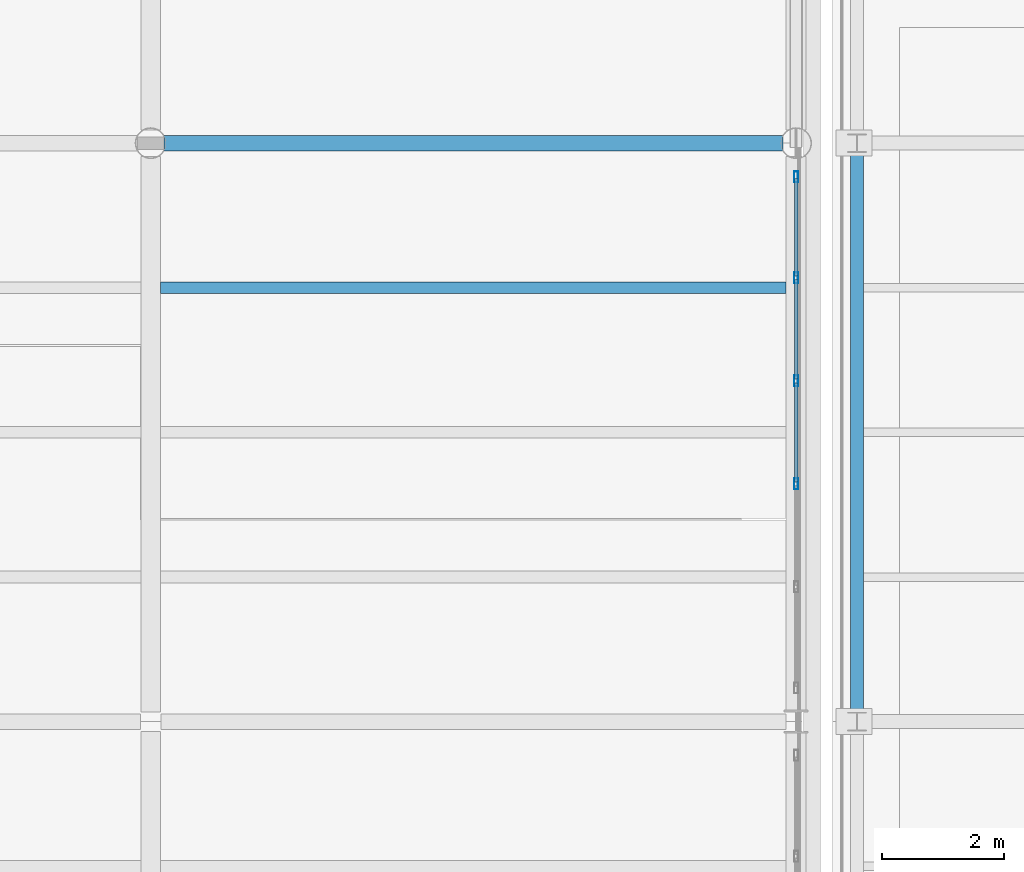
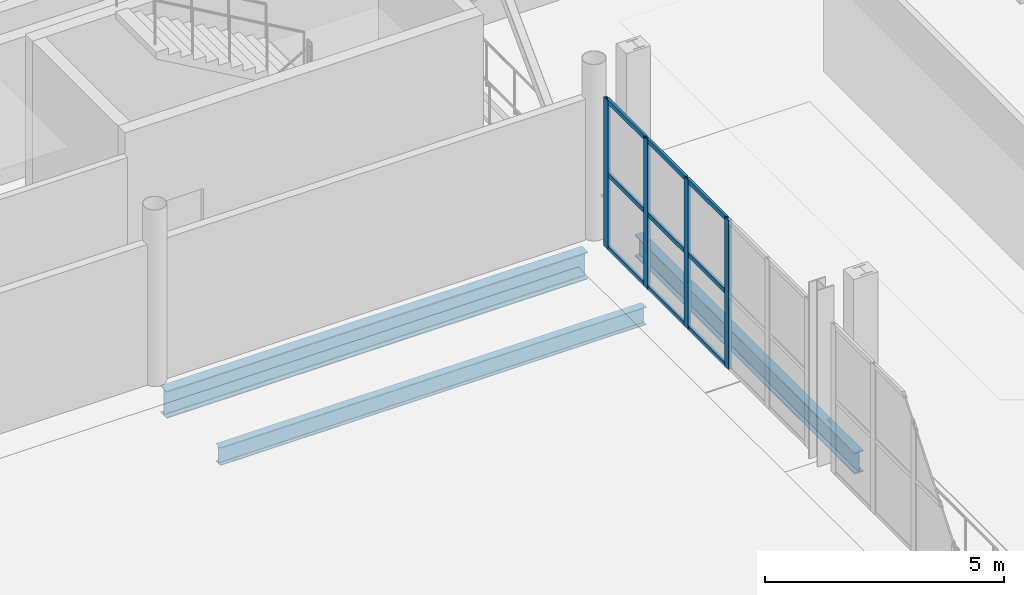
# One storey, part 92 of 156: 13 members, 3 beams, 1 element without a shape of its own.
"""IFC4 building model written with IfcOpenShell, lengths in metres."""

from ifc_helpers import new_model, si_unit, direction, frame, origin, origin_2d, place, context, subcontext, project, spatial, hollow_rectangle, i_section, extrude, material, material_profile, profile_set, type_object, element, aggregate, save


model = new_model("IFC4")

# Units and contexts
model_context = context("Model", 3, precision=1e-05, world=origin(), true_north=direction((0.0, 1.0)))
body_context = subcontext(model_context, "Body", "Model", "MODEL_VIEW")
ifc_project = project(units=[si_unit("LENGTHUNIT", "METRE"), si_unit("AREAUNIT", "SQUARE_METRE"), si_unit("VOLUMEUNIT", "CUBIC_METRE"), si_unit("PLANEANGLEUNIT", "RADIAN"), si_unit("MASSUNIT", "GRAM", prefix="KILO")], contexts=[model_context])

# Site, building, storey
site_placement = place(None, origin())
site = spatial("IfcSite", under=ifc_project, at=site_placement, CompositionType="ELEMENT")
building_placement = place(site_placement, origin())
building = spatial("IfcBuilding", under=site, at=building_placement, Name="Caurita Quay Ferry Terminal", CompositionType="ELEMENT")
storey_placement = place(building_placement, frame((0.0, 0.0, 5.39990234375)))
storey = spatial("IfcBuildingStorey", under=building, at=storey_placement, Name="L01", CompositionType="ELEMENT", Elevation=5.39990234375)

# Beams
ifc_material_1 = material(Name="Structural steel ASTM A992 Gr. 50", Category="steel")
ifc_material_profile_1 = material_profile(ifc_material_1, i_section(OverallWidth=0.210693359375, OverallDepth=0.53857421875, WebThickness=0.01171875, FlangeThickness=0.018798828125, FilletRadius=0.013916015625, at=origin_2d()), Name="W21X73")
ifc_profile_set_1 = profile_set([ifc_material_profile_1], Name="Structural steel ASTM A992 Gr. 50")
beam_type_1 = type_object("IfcBeamType", Name="BM-GR-W21A", PredefinedType="BEAM", material=ifc_profile_set_1)
beam_1_placement = place(storey_placement, frame((132.800048828125, 53.3544921875, -0.504150390625), z_axis=(0.0, 1.0, 0.0), x_axis=(-1.0, 0.0, 0.0)))
element("IfcBeam", 1, at=beam_1_placement, inside=storey, type_object=beam_type_1, Name="L01 Beam BM-V3H-L01-Y-1328-534", PredefinedType="BEAM", context=body_context, shape_type="SweptSolid", body=[
    extrude(i_section(OverallWidth=0.210693359375, OverallDepth=0.53857421875, WebThickness=0.01171875, FlangeThickness=0.018798828125, FilletRadius=0.013916015625, at=origin_2d()), origin(), (0.0, 0.0, 1.0), 9.191162109375),
])
ifc_material_profile_2 = material_profile(ifc_material_1, i_section(OverallWidth=0.256591796875, OverallDepth=0.693359375, WebThickness=0.014404296875, FlangeThickness=0.023681640625, FilletRadius=0.017822265625, at=origin_2d()), Name="W27X114")
ifc_profile_set_2 = profile_set([ifc_material_profile_2], Name="Structural steel ASTM A992 Gr. 50")
beam_type_2 = type_object("IfcBeamType", Name="BM-GR-W27A", PredefinedType="BEAM", material=ifc_profile_set_2)
beam_2_placement = place(storey_placement, frame((121.416015625, 62.699951171875, -0.646484375), z_axis=(1.0, 0.0, 0.0), x_axis=(0.0, 1.0, 0.0)))
element("IfcBeam", 2, at=beam_2_placement, inside=storey, type_object=beam_type_2, Name="L01 Beam BM-V2-L01-X-1214-627", PredefinedType="BEAM", context=body_context, shape_type="SweptSolid", body=[
    extrude(i_section(OverallWidth=0.256591796875, OverallDepth=0.693359375, WebThickness=0.014404296875, FlangeThickness=0.023681640625, FilletRadius=0.017822265625, at=origin_2d()), origin(), (0.0, 0.0, 1.0), 10.16796875),
])
ifc_material_profile_3 = material_profile(ifc_material_1, i_section(OverallWidth=0.1904296875, OverallDepth=0.457275390625, WebThickness=0.009033203125, FlangeThickness=0.014404296875, FilletRadius=0.0126953125, at=origin_2d()), Name="W18X50")
ifc_profile_set_3 = profile_set([ifc_material_profile_3], Name="Structural steel ASTM A992 Gr. 50")
beam_type_3 = type_object("IfcBeamType", Name="BM-JS-W18B", PredefinedType="JOIST", material=ifc_profile_set_3)
beam_3_placement = place(storey_placement, frame((121.362548828125, 60.324951171875, -0.528564453125), z_axis=(1.0, 0.0, 0.0), x_axis=(0.0, 1.0, 0.0)))
element("IfcBeam", 3, at=beam_3_placement, inside=storey, type_object=beam_type_3, Name="L01 Beam JS-V2-L01-039", PredefinedType="JOIST", context=body_context, shape_type="SweptSolid", body=[
    extrude(i_section(OverallWidth=0.1904296875, OverallDepth=0.457275390625, WebThickness=0.009033203125, FlangeThickness=0.014404296875, FilletRadius=0.0126953125, at=origin_2d()), origin(), (0.0, 0.0, 1.0), 10.27490234375),
])

# Curtain wall, members
ifc_material_2 = material(Name="Laminated solar-control insulated glass", Category="glass")
curtain_wall_type = type_object("IfcCurtainWallType", Name="CW-SYS-12", PredefinedType="NOTDEFINED", material=ifc_material_2)
curtain_wall_placement = place(storey_placement, origin())
curtain_wall = element("IfcCurtainWall", 4, at=curtain_wall_placement, inside=storey, type_object=curtain_wall_type, Name="Concourse Gable Curtain Wall 088", PredefinedType="NOTDEFINED")
ifc_material_3 = material(Name="Anodized aluminium 6063-T6", Category="aluminium")
ifc_material_profile_4 = material_profile(ifc_material_3, hollow_rectangle(XDim=0.06494140625, YDim=0.179931640625, WallThickness=0.00390625, at=origin_2d()), Name="ALU-MUL-65X180")
ifc_profile_set_4 = profile_set([ifc_material_profile_4], Name="Anodized aluminium 6063-T6")
member_type_1 = type_object("IfcMemberType", Name="CW-MUL-180", PredefinedType="MULLION", material=ifc_profile_set_4)
member_1_placement = place(storey_placement, frame((131.800048828125, 57.10400390625, 0.0), z_axis=(0.0, 0.0, 1.0), x_axis=(-1.0, 0.0, 0.0)))
member_1 = element("IfcMember", 5, at=member_1_placement, type_object=member_type_1, Name="CW-GBL-088 Mullion 3", PredefinedType="MULLION", context=body_context, shape_type="SweptSolid", body=[
    extrude(hollow_rectangle(XDim=0.06494140625, YDim=0.179931640625, WallThickness=0.00390625, at=origin_2d()), origin(), (0.0, 0.0, 1.0), 3.800048828125),
])
member_2_placement = place(storey_placement, frame((131.800048828125, 58.7958984375, 0.0), z_axis=(0.0, 0.0, 1.0), x_axis=(-1.0, 0.0, 0.0)))
member_2 = element("IfcMember", 6, at=member_2_placement, type_object=member_type_1, Name="CW-GBL-088 Mullion 4", PredefinedType="MULLION", context=body_context, shape_type="SweptSolid", body=[
    extrude(hollow_rectangle(XDim=0.06494140625, YDim=0.179931640625, WallThickness=0.00390625, at=origin_2d()), origin(), (0.0, 0.0, 1.0), 3.800048828125),
])
member_3_placement = place(storey_placement, frame((131.800048828125, 60.488037109375, 0.0), z_axis=(0.0, 0.0, 1.0), x_axis=(-1.0, 0.0, 0.0)))
member_3 = element("IfcMember", 7, at=member_3_placement, type_object=member_type_1, Name="CW-GBL-088 Mullion 5", PredefinedType="MULLION", context=body_context, shape_type="SweptSolid", body=[
    extrude(hollow_rectangle(XDim=0.06494140625, YDim=0.179931640625, WallThickness=0.00390625, at=origin_2d()), origin(), (0.0, 0.0, 1.0), 3.800048828125),
])
member_4_placement = place(storey_placement, frame((131.800048828125, 62.1474609375, 0.0), z_axis=(0.0, 0.0, 1.0), x_axis=(-1.0, 0.0, 0.0)))
member_4 = element("IfcMember", 8, at=member_4_placement, type_object=member_type_1, Name="CW-GBL-088 Mullion 6", PredefinedType="MULLION", context=body_context, shape_type="SweptSolid", body=[
    extrude(hollow_rectangle(XDim=0.06494140625, YDim=0.179931640625, WallThickness=0.00390625, at=origin_2d()), origin(), (0.0, 0.0, 1.0), 3.800048828125),
])
ifc_material_profile_5 = material_profile(ifc_material_3, hollow_rectangle(XDim=0.06005859375, YDim=0.114990234375, WallThickness=0.00341796875, at=origin_2d()), Name="ALU-TRN-60X115")
ifc_profile_set_5 = profile_set([ifc_material_profile_5], Name="Anodized aluminium 6063-T6")
member_type_2 = type_object("IfcMemberType", Name="CW-TRN-115", PredefinedType="USERDEFINED", material=ifc_profile_set_5)
member_5_placement = place(storey_placement, frame((131.800048828125, 57.134521484375, 0.030029296875), z_axis=(0.0, 1.0, 0.0), x_axis=(-1.0, 0.0, 0.0)))
member_5 = element("IfcMember", 9, at=member_5_placement, type_object=member_type_2, Name="CW-GBL-088 Transom 7", ObjectType="TRANSOM", PredefinedType="USERDEFINED", context=body_context, shape_type="SweptSolid", body=[
    extrude(hollow_rectangle(XDim=0.06005859375, YDim=0.114990234375, WallThickness=0.00341796875, at=origin_2d()), origin(), (0.0, 0.0, 1.0), 1.630859375),
])
member_6_placement = place(storey_placement, frame((131.800048828125, 57.134521484375, 1.900146484375), z_axis=(0.0, 1.0, 0.0), x_axis=(-1.0, 0.0, 0.0)))
member_6 = element("IfcMember", 10, at=member_6_placement, type_object=member_type_2, Name="CW-GBL-088 Transom 8", ObjectType="TRANSOM", PredefinedType="USERDEFINED", context=body_context, shape_type="SweptSolid", body=[
    extrude(hollow_rectangle(XDim=0.06005859375, YDim=0.114990234375, WallThickness=0.00341796875, at=origin_2d()), origin(), (0.0, 0.0, 1.0), 1.630859375),
])
member_7_placement = place(storey_placement, frame((131.800048828125, 57.134521484375, 3.77001953125), z_axis=(0.0, 1.0, 0.0), x_axis=(-1.0, 0.0, 0.0)))
member_7 = element("IfcMember", 11, at=member_7_placement, type_object=member_type_2, Name="CW-GBL-088 Transom 9", ObjectType="TRANSOM", PredefinedType="USERDEFINED", context=body_context, shape_type="SweptSolid", body=[
    extrude(hollow_rectangle(XDim=0.06005859375, YDim=0.114990234375, WallThickness=0.00341796875, at=origin_2d()), origin(), (0.0, 0.0, 1.0), 1.630859375),
])
member_8_placement = place(storey_placement, frame((131.800048828125, 58.826416015625, 0.030029296875), z_axis=(0.0, 1.0, 0.0), x_axis=(-1.0, 0.0, 0.0)))
member_8 = element("IfcMember", 12, at=member_8_placement, type_object=member_type_2, Name="CW-GBL-088 Transom 10", ObjectType="TRANSOM", PredefinedType="USERDEFINED", context=body_context, shape_type="SweptSolid", body=[
    extrude(hollow_rectangle(XDim=0.06005859375, YDim=0.114990234375, WallThickness=0.00341796875, at=origin_2d()), origin(), (0.0, 0.0, 1.0), 1.631103515625),
])
member_9_placement = place(storey_placement, frame((131.800048828125, 58.826416015625, 1.900146484375), z_axis=(0.0, 1.0, 0.0), x_axis=(-1.0, 0.0, 0.0)))
member_9 = element("IfcMember", 13, at=member_9_placement, type_object=member_type_2, Name="CW-GBL-088 Transom 11", ObjectType="TRANSOM", PredefinedType="USERDEFINED", context=body_context, shape_type="SweptSolid", body=[
    extrude(hollow_rectangle(XDim=0.06005859375, YDim=0.114990234375, WallThickness=0.00341796875, at=origin_2d()), origin(), (0.0, 0.0, 1.0), 1.631103515625),
])
member_10_placement = place(storey_placement, frame((131.800048828125, 58.826416015625, 3.77001953125), z_axis=(0.0, 1.0, 0.0), x_axis=(-1.0, 0.0, 0.0)))
member_10 = element("IfcMember", 14, at=member_10_placement, type_object=member_type_2, Name="CW-GBL-088 Transom 12", ObjectType="TRANSOM", PredefinedType="USERDEFINED", context=body_context, shape_type="SweptSolid", body=[
    extrude(hollow_rectangle(XDim=0.06005859375, YDim=0.114990234375, WallThickness=0.00341796875, at=origin_2d()), origin(), (0.0, 0.0, 1.0), 1.631103515625),
])
member_11_placement = place(storey_placement, frame((131.800048828125, 60.5185546875, 0.030029296875), z_axis=(0.0, 1.0, 0.0), x_axis=(-1.0, 0.0, 0.0)))
member_11 = element("IfcMember", 15, at=member_11_placement, type_object=member_type_2, Name="CW-GBL-088 Transom 13", ObjectType="TRANSOM", PredefinedType="USERDEFINED", context=body_context, shape_type="SweptSolid", body=[
    extrude(hollow_rectangle(XDim=0.06005859375, YDim=0.114990234375, WallThickness=0.00341796875, at=origin_2d()), origin(), (0.0, 0.0, 1.0), 1.598388671875),
])
member_12_placement = place(storey_placement, frame((131.800048828125, 60.5185546875, 1.900146484375), z_axis=(0.0, 1.0, 0.0), x_axis=(-1.0, 0.0, 0.0)))
member_12 = element("IfcMember", 16, at=member_12_placement, type_object=member_type_2, Name="CW-GBL-088 Transom 14", ObjectType="TRANSOM", PredefinedType="USERDEFINED", context=body_context, shape_type="SweptSolid", body=[
    extrude(hollow_rectangle(XDim=0.06005859375, YDim=0.114990234375, WallThickness=0.00341796875, at=origin_2d()), origin(), (0.0, 0.0, 1.0), 1.598388671875),
])
member_13_placement = place(storey_placement, frame((131.800048828125, 60.5185546875, 3.77001953125), z_axis=(0.0, 1.0, 0.0), x_axis=(-1.0, 0.0, 0.0)))
member_13 = element("IfcMember", 17, at=member_13_placement, type_object=member_type_2, Name="CW-GBL-088 Transom 15", ObjectType="TRANSOM", PredefinedType="USERDEFINED", context=body_context, shape_type="SweptSolid", body=[
    extrude(hollow_rectangle(XDim=0.06005859375, YDim=0.114990234375, WallThickness=0.00341796875, at=origin_2d()), origin(), (0.0, 0.0, 1.0), 1.598388671875),
])
aggregate(curtain_wall, [member_1, member_2, member_3, member_4, member_5, member_6, member_7, member_8, member_9, member_10, member_11, member_12, member_13])

save(model, "model.ifc")
